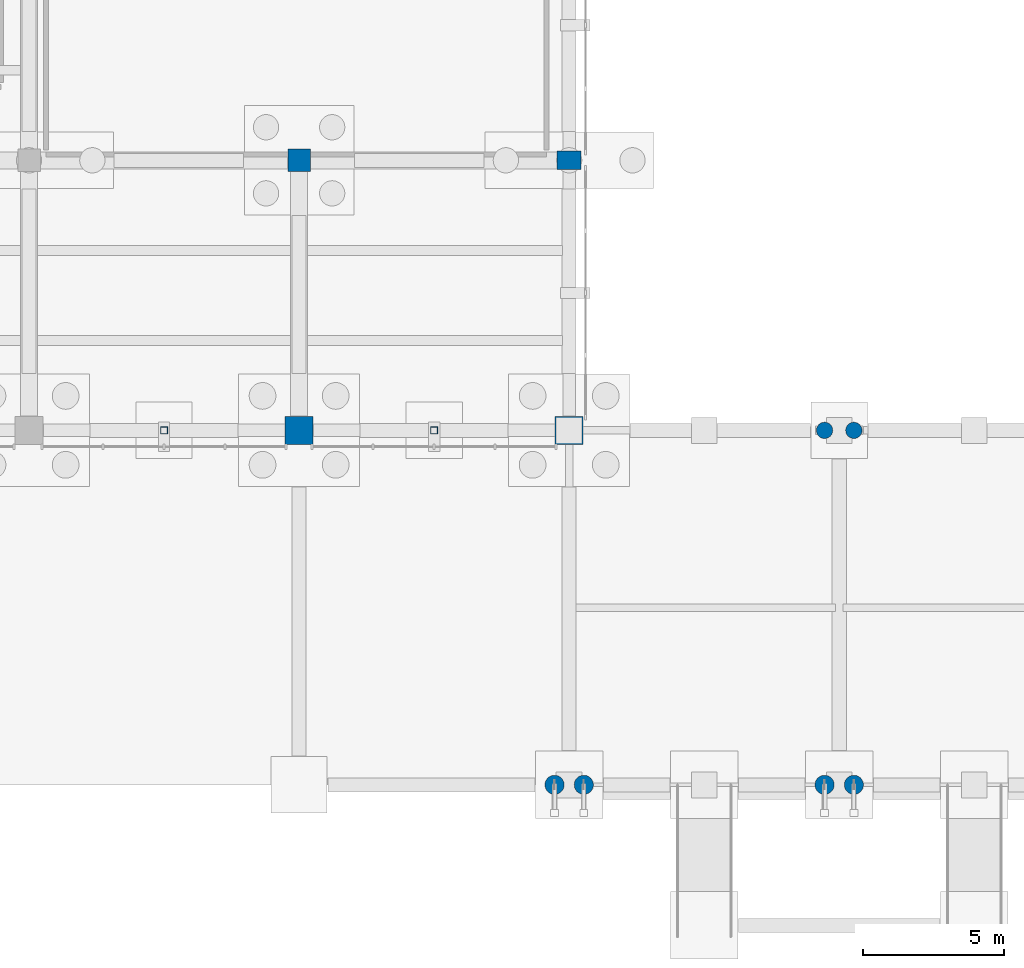
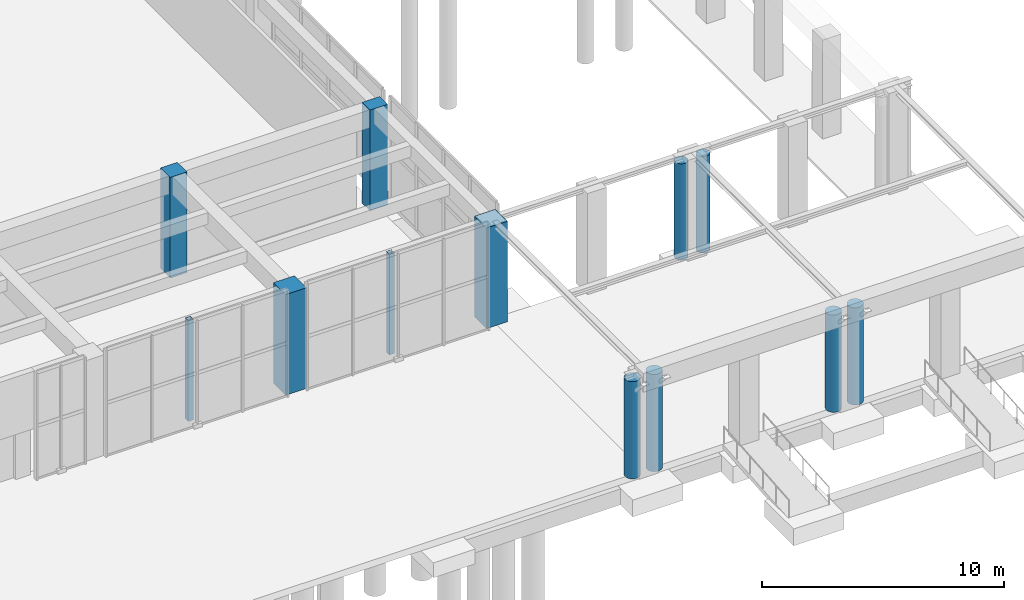
# One storey, part 9 of 51: 12 columns.
"""IFC4 building model written with IfcOpenShell, lengths in metres."""

from ifc_helpers import new_model, si_unit, direction, frame, origin, origin_2d, place, context, subcontext, project, spatial, rectangle, hollow_rectangle, circle, extrude, material, material_profile, profile_set, type_object, element, save


model = new_model("IFC4")

# Units and contexts
model_context = context("Model", 3, precision=1e-05, world=origin(), true_north=direction((0.0, 1.0)))
body_context = subcontext(model_context, "Body", "Model", "MODEL_VIEW")
ifc_project = project(units=[si_unit("LENGTHUNIT", "METRE"), si_unit("AREAUNIT", "SQUARE_METRE"), si_unit("VOLUMEUNIT", "CUBIC_METRE"), si_unit("PLANEANGLEUNIT", "RADIAN"), si_unit("MASSUNIT", "GRAM", prefix="KILO")], contexts=[model_context])

# Site, building, storey
site_placement = place(None, origin())
site = spatial("IfcSite", under=ifc_project, at=site_placement, CompositionType="ELEMENT")
building_placement = place(site_placement, origin())
building = spatial("IfcBuilding", under=site, at=building_placement, Name="Bempovik Park Faculty of Sciences", CompositionType="ELEMENT")
storey_placement = place(building_placement, origin())
storey = spatial("IfcBuildingStorey", under=building, at=storey_placement, Name="L00", CompositionType="ELEMENT", Elevation=0.0)

# Columns
ifc_material_1 = material(Name="Precast concrete C40/50", Category="concrete")
ifc_material_profile_1 = material_profile(ifc_material_1, circle(Radius=0.340087890625, at=origin_2d()), Name="RC D680")
ifc_profile_set_1 = profile_set([ifc_material_profile_1], Name="Precast concrete C40/50")
column_type_1 = type_object("IfcColumnType", Name="C-23 RC D680", PredefinedType="PILASTER", material=ifc_profile_set_1)
for number, where, z_axis, x_axis, name in (
    (1, (117.080078125, 7.199951171875, 0.0), (0.0, 0.0, 1.0), (1.0, 0.0, 0.0), "Park Colonnade Classical Column A-117.6-W"),
    (2, (118.1201171875, 7.199951171875, 0.0), (0.0, 0.0, 1.0), (1.0, 0.0, 0.0), "Park Colonnade Classical Column A-117.6-E"),
    (3, (126.679931640625, 7.199951171875, 0.0), (0.0, 0.0, 1.0), (1.0, 0.0, 0.0), "Park Colonnade Classical Column A-127.2-W"),
    (4, (127.719970703125, 7.199951171875, 0.0), (0.0, 0.0, 1.0), (1.0, 0.0, 0.0), "Park Colonnade Classical Column A-127.2-E"),
):
    element("IfcColumn", number, at=place(storey_placement, frame(where, z_axis=z_axis, x_axis=x_axis)), inside=storey, type_object=column_type_1, Name=name, PredefinedType="PILASTER", context=body_context, shape_type="SweptSolid", body=[
        extrude(circle(Radius=0.340087890625, at=origin_2d()), origin(), (0.0, 0.0, 1.0), 4.909912109375),
    ])
ifc_material_2 = material(Name="Concrete C40/50", Category="concrete")
ifc_material_profile_2 = material_profile(ifc_material_2, rectangle(XDim=0.800048828125, YDim=0.800048828125, at=origin_2d()), Name="RC 800x800")
ifc_profile_set_2 = profile_set([ifc_material_profile_2], Name="Concrete C40/50")
column_type_2 = type_object("IfcColumnType", Name="C-33 RC 800x800", PredefinedType="COLUMN", material=ifc_profile_set_2)
column_1_placement = place(storey_placement, frame((108.0, 29.39990234375, 0.0), z_axis=(0.0, 0.0, 1.0), x_axis=(1.0, 0.0, 0.0)))
element("IfcColumn", 5, at=column_1_placement, inside=storey, type_object=column_type_2, Name="L00 Structural Column (108.0,29.4)", PredefinedType="COLUMN", context=body_context, shape_type="SweptSolid", body=[
    extrude(rectangle(XDim=0.800048828125, YDim=0.800048828125, at=origin_2d()), origin(), (0.0, 0.0, 1.0), 5.080078125),
])
ifc_material_3 = material(Name="Steel S355", Category="steel")
ifc_material_profile_3 = material_profile(ifc_material_3, hollow_rectangle(XDim=0.25, YDim=0.25, WallThickness=0.012451171875, at=origin_2d()), Name="SHS 250x250x12.5")
ifc_profile_set_3 = profile_set([ifc_material_profile_3], Name="Steel S355")
column_type_3 = type_object("IfcColumnType", Name="C-47 SHS 250x250x12.5", PredefinedType="COLUMN", material=ifc_profile_set_3)
for number, where, z_axis, x_axis, name in (
    (6, (103.199951171875, 19.800048828125, 0.0), (0.0, 0.0, 1.0), (1.0, 0.0, 0.0), "Foyer Steel Mullion Column L00 (103.2)"),
    (7, (112.800048828125, 19.800048828125, 0.0), (0.0, 0.0, 1.0), (1.0, 0.0, 0.0), "Foyer Steel Mullion Column L00 (112.8)"),
):
    element("IfcColumn", number, at=place(storey_placement, frame(where, z_axis=z_axis, x_axis=x_axis)), inside=storey, type_object=column_type_3, Name=name, PredefinedType="COLUMN", context=body_context, shape_type="SweptSolid", body=[
        extrude(hollow_rectangle(XDim=0.25, YDim=0.25, WallThickness=0.012451171875, at=origin_2d()), origin(), (0.0, 0.0, 1.0), 5.080078125),
    ])
ifc_material_profile_4 = material_profile(ifc_material_1, circle(Radius=0.2900390625, at=origin_2d()), Name="RC D580")
ifc_profile_set_4 = profile_set([ifc_material_profile_4], Name="Precast concrete C40/50")
column_type_4 = type_object("IfcColumnType", Name="C-66 RC D580", PredefinedType="PILASTER", material=ifc_profile_set_4)
for number, where, z_axis, x_axis, name in (
    (8, (126.679931640625, 19.800048828125, 0.0), (0.0, 0.0, 1.0), (1.0, 0.0, 0.0), "Park Colonnade Classical Column B-127.2-W"),
    (9, (127.719970703125, 19.800048828125, 0.0), (0.0, 0.0, 1.0), (1.0, 0.0, 0.0), "Park Colonnade Classical Column B-127.2-E"),
):
    element("IfcColumn", number, at=place(storey_placement, frame(where, z_axis=z_axis, x_axis=x_axis)), inside=storey, type_object=column_type_4, Name=name, PredefinedType="PILASTER", context=body_context, shape_type="SweptSolid", body=[
        extrude(circle(Radius=0.2900390625, at=origin_2d()), origin(), (0.0, 0.0, 1.0), 4.8701171875),
    ])
ifc_material_profile_5 = material_profile(ifc_material_2, rectangle(XDim=0.85009765625, YDim=0.64990234375, at=origin_2d()), Name="RC 850x650")
ifc_profile_set_5 = profile_set([ifc_material_profile_5], Name="Concrete C40/50")
column_type_5 = type_object("IfcColumnType", Name="C-71 RC 850x650", PredefinedType="COLUMN", material=ifc_profile_set_5)
column_2_placement = place(storey_placement, frame((117.60009765625, 29.39990234375, 0.0), z_axis=(0.0, 0.0, 1.0), x_axis=(1.0, 0.0, 0.0)))
element("IfcColumn", 10, at=column_2_placement, inside=storey, type_object=column_type_5, Name="L00 Structural Column (117.6,29.4)", PredefinedType="COLUMN", context=body_context, shape_type="SweptSolid", body=[
    extrude(rectangle(XDim=0.85009765625, YDim=0.64990234375, at=origin_2d()), origin(), (0.0, 0.0, 1.0), 5.080078125),
])
ifc_material_profile_6 = material_profile(ifc_material_2, rectangle(XDim=1.0, YDim=1.0, at=origin_2d()), Name="RC 1000x1000")
ifc_profile_set_6 = profile_set([ifc_material_profile_6], Name="Concrete C40/50")
column_type_6 = type_object("IfcColumnType", Name="C-84 RC 1000x1000", PredefinedType="COLUMN", material=ifc_profile_set_6)
for number, where, z_axis, x_axis, name in (
    (11, (108.0, 19.800048828125, 0.0), (0.0, 0.0, 1.0), (1.0, 0.0, 0.0), "L00 Structural Column (108.0,19.8)"),
    (12, (117.60009765625, 19.800048828125, 0.0), (0.0, 0.0, 1.0), (1.0, 0.0, 0.0), "L00 Structural Column (117.6,19.8)"),
):
    element("IfcColumn", number, at=place(storey_placement, frame(where, z_axis=z_axis, x_axis=x_axis)), inside=storey, type_object=column_type_6, Name=name, PredefinedType="COLUMN", context=body_context, shape_type="SweptSolid", body=[
        extrude(rectangle(XDim=1.0, YDim=1.0, at=origin_2d()), origin(), (0.0, 0.0, 1.0), 5.080078125),
    ])

save(model, "model.ifc")
